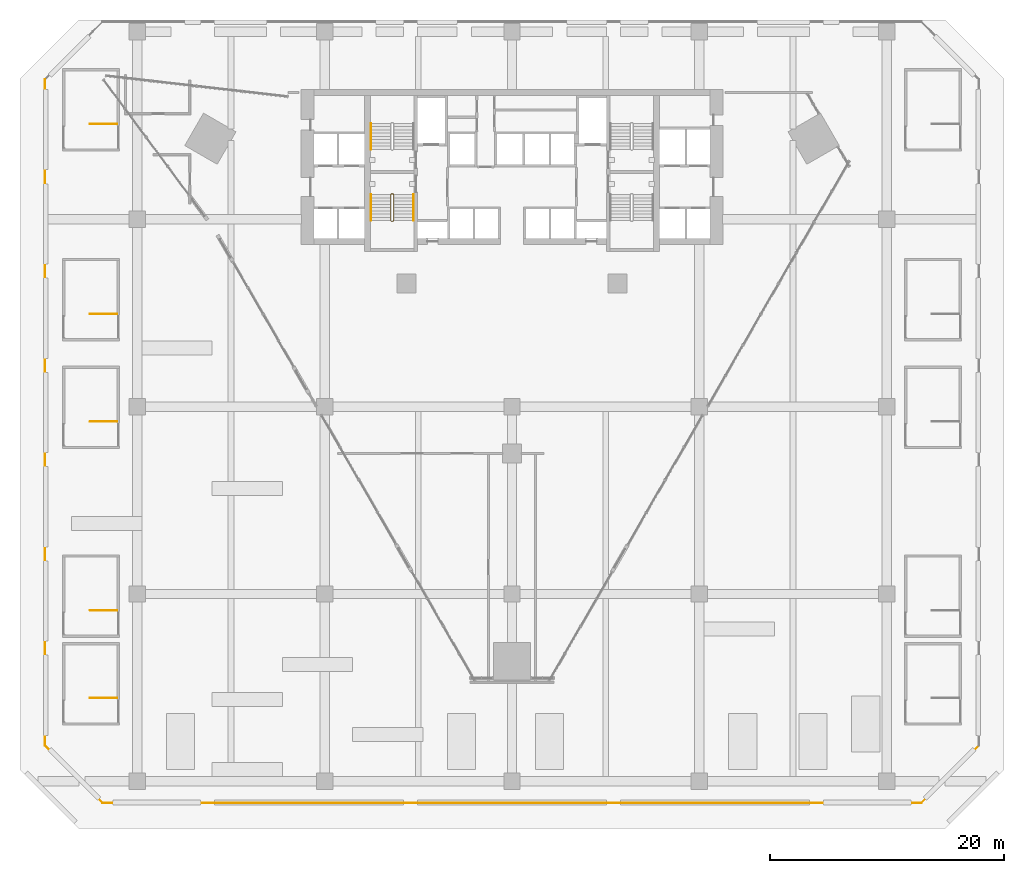
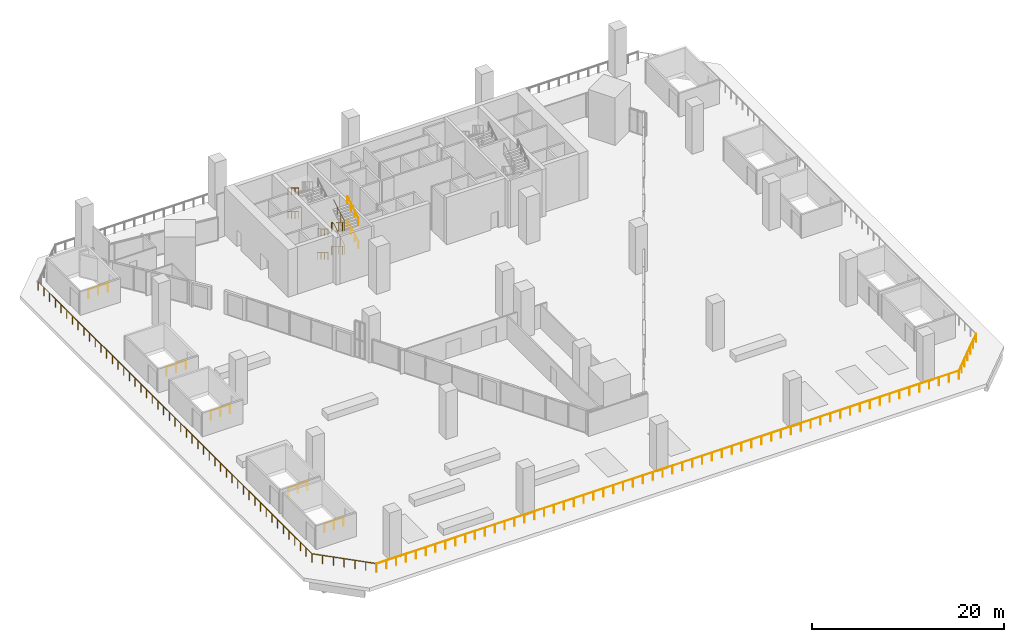
# One storey, part 23 of 25: 14 railings.
"""IFC4 building model written with IfcOpenShell, lengths in metres."""

from ifc_helpers import new_model, si_unit, direction, frame, origin, origin_2d, place, context, subcontext, project, spatial, circle, extrude, material, type_object, element, save


model = new_model("IFC4")

# Units and contexts
model_context = context("Model", 3, precision=1e-05, world=origin(), true_north=direction((0.0, 1.0)))
body_context = subcontext(model_context, "Body", "Model", "MODEL_VIEW")
ifc_project = project(units=[si_unit("LENGTHUNIT", "METRE"), si_unit("AREAUNIT", "SQUARE_METRE"), si_unit("VOLUMEUNIT", "CUBIC_METRE"), si_unit("PLANEANGLEUNIT", "RADIAN"), si_unit("MASSUNIT", "GRAM", prefix="KILO")], contexts=[model_context])

# Site, building, storey
site_placement = place(None, origin())
site = spatial("IfcSite", under=ifc_project, at=site_placement, CompositionType="ELEMENT")
building_placement = place(site_placement, origin())
building = spatial("IfcBuilding", under=site, at=building_placement, Name="Calabash Gate Tower", CompositionType="ELEMENT")
storey_placement = place(building_placement, frame((0.0, 0.0, 40.0)))
storey = spatial("IfcBuildingStorey", under=building, at=storey_placement, Name="L05", CompositionType="ELEMENT", Elevation=40.0)

# Railings
ifc_material_1 = material(Name="Stainless steel 316 rail and posts", Category="steel")
railing_type_1 = type_object("IfcRailingType", Name="Portal edge guard 1100", PredefinedType="GUARDRAIL", material=ifc_material_1)
railing_1_placement = place(storey_placement, frame((-34.93798828125, -41.85009765625, 0.0)))
element("IfcRailing", 1, at=railing_1_placement, inside=storey, type_object=railing_type_1, Name="GUARD L05 terrace edge 1", PredefinedType="GUARDRAIL", context=body_context, shape_type="SweptSolid", body=[
    extrude(circle(Radius=0.02392578125, at=origin_2d()), frame((0.0, 0.0, 1.076171875), z_axis=(-0.707106781187, 0.707106781187, 0.0), x_axis=(-0.707106781187, -0.707106781187, 0.0)), (0.0, 0.0, 1.0), 6.94677734375),
    extrude(circle(Radius=0.02392578125, at=origin_2d()), frame((-4.912109375, 4.912109375, 1.076171875), z_axis=(0.0, 1.0, 0.0), x_axis=(-1.0, 0.0, 0.0)), (0.0, 0.0, 1.0), 56.8759765625),
    extrude(circle(Radius=0.02099609375, at=origin_2d()), origin(), (0.0, 0.0, 1.0), 1.052001953125),
    extrude(circle(Radius=0.02099609375, at=origin_2d()), frame((-0.818603515625, 0.818603515625, 0.0)), (0.0, 0.0, 1.0), 1.052001953125),
    extrude(circle(Radius=0.02099609375, at=origin_2d()), frame((-1.637451171875, 1.637451171875, 0.0)), (0.0, 0.0, 1.0), 1.052001953125),
    extrude(circle(Radius=0.02099609375, at=origin_2d()), frame((-2.4560546875, 2.4560546875, 0.0)), (0.0, 0.0, 1.0), 1.052001953125),
    extrude(circle(Radius=0.02099609375, at=origin_2d()), frame((-3.274658203125, 3.274658203125, 0.0)), (0.0, 0.0, 1.0), 1.052001953125),
    extrude(circle(Radius=0.02099609375, at=origin_2d()), frame((-4.093505859375, 4.093505859375, 0.0)), (0.0, 0.0, 1.0), 1.052001953125),
    extrude(circle(Radius=0.02099609375, at=origin_2d()), frame((-4.912109375, 4.912109375, 0.0)), (0.0, 0.0, 1.0), 1.052001953125),
    extrude(circle(Radius=0.02099609375, at=origin_2d()), frame((-4.912109375, 6.096923828125, 0.0)), (0.0, 0.0, 1.0), 1.052001953125),
    extrude(circle(Radius=0.02099609375, at=origin_2d()), frame((-4.912109375, 7.281982421875, 0.0)), (0.0, 0.0, 1.0), 1.052001953125),
    extrude(circle(Radius=0.02099609375, at=origin_2d()), frame((-4.912109375, 8.466796875, 0.0)), (0.0, 0.0, 1.0), 1.052001953125),
    extrude(circle(Radius=0.02099609375, at=origin_2d()), frame((-4.912109375, 9.65185546875, 0.0)), (0.0, 0.0, 1.0), 1.052001953125),
    extrude(circle(Radius=0.02099609375, at=origin_2d()), frame((-4.912109375, 10.836669921875, 0.0)), (0.0, 0.0, 1.0), 1.052001953125),
    extrude(circle(Radius=0.02099609375, at=origin_2d()), frame((-4.912109375, 12.021484375, 0.0)), (0.0, 0.0, 1.0), 1.052001953125),
    extrude(circle(Radius=0.02099609375, at=origin_2d()), frame((-4.912109375, 13.20654296875, 0.0)), (0.0, 0.0, 1.0), 1.052001953125),
    extrude(circle(Radius=0.02099609375, at=origin_2d()), frame((-4.912109375, 14.391357421875, 0.0)), (0.0, 0.0, 1.0), 1.052001953125),
    extrude(circle(Radius=0.02099609375, at=origin_2d()), frame((-4.912109375, 15.576416015625, 0.0)), (0.0, 0.0, 1.0), 1.052001953125),
    extrude(circle(Radius=0.02099609375, at=origin_2d()), frame((-4.912109375, 16.76123046875, 0.0)), (0.0, 0.0, 1.0), 1.052001953125),
    extrude(circle(Radius=0.02099609375, at=origin_2d()), frame((-4.912109375, 17.9462890625, 0.0)), (0.0, 0.0, 1.0), 1.052001953125),
    extrude(circle(Radius=0.02099609375, at=origin_2d()), frame((-4.912109375, 19.131103515625, 0.0)), (0.0, 0.0, 1.0), 1.052001953125),
    extrude(circle(Radius=0.02099609375, at=origin_2d()), frame((-4.912109375, 20.31591796875, 0.0)), (0.0, 0.0, 1.0), 1.052001953125),
    extrude(circle(Radius=0.02099609375, at=origin_2d()), frame((-4.912109375, 21.5009765625, 0.0)), (0.0, 0.0, 1.0), 1.052001953125),
    extrude(circle(Radius=0.02099609375, at=origin_2d()), frame((-4.912109375, 22.685791015625, 0.0)), (0.0, 0.0, 1.0), 1.052001953125),
    extrude(circle(Radius=0.02099609375, at=origin_2d()), frame((-4.912109375, 23.870849609375, 0.0)), (0.0, 0.0, 1.0), 1.052001953125),
    extrude(circle(Radius=0.02099609375, at=origin_2d()), frame((-4.912109375, 25.0556640625, 0.0)), (0.0, 0.0, 1.0), 1.052001953125),
    extrude(circle(Radius=0.02099609375, at=origin_2d()), frame((-4.912109375, 26.24072265625, 0.0)), (0.0, 0.0, 1.0), 1.052001953125),
    extrude(circle(Radius=0.02099609375, at=origin_2d()), frame((-4.912109375, 27.425537109375, 0.0)), (0.0, 0.0, 1.0), 1.052001953125),
    extrude(circle(Radius=0.02099609375, at=origin_2d()), frame((-4.912109375, 28.6103515625, 0.0)), (0.0, 0.0, 1.0), 1.052001953125),
    extrude(circle(Radius=0.02099609375, at=origin_2d()), frame((-4.912109375, 29.79541015625, 0.0)), (0.0, 0.0, 1.0), 1.052001953125),
    extrude(circle(Radius=0.02099609375, at=origin_2d()), frame((-4.912109375, 30.980224609375, 0.0)), (0.0, 0.0, 1.0), 1.052001953125),
    extrude(circle(Radius=0.02099609375, at=origin_2d()), frame((-4.912109375, 32.165283203125, 0.0)), (0.0, 0.0, 1.0), 1.052001953125),
    extrude(circle(Radius=0.02099609375, at=origin_2d()), frame((-4.912109375, 33.35009765625, 0.0)), (0.0, 0.0, 1.0), 1.052001953125),
    extrude(circle(Radius=0.02099609375, at=origin_2d()), frame((-4.912109375, 34.534912109375, 0.0)), (0.0, 0.0, 1.0), 1.052001953125),
    extrude(circle(Radius=0.02099609375, at=origin_2d()), frame((-4.912109375, 35.719970703125, 0.0)), (0.0, 0.0, 1.0), 1.052001953125),
    extrude(circle(Radius=0.02099609375, at=origin_2d()), frame((-4.912109375, 36.90478515625, 0.0)), (0.0, 0.0, 1.0), 1.052001953125),
    extrude(circle(Radius=0.02099609375, at=origin_2d()), frame((-4.912109375, 38.08984375, 0.0)), (0.0, 0.0, 1.0), 1.052001953125),
    extrude(circle(Radius=0.02099609375, at=origin_2d()), frame((-4.912109375, 39.274658203125, 0.0)), (0.0, 0.0, 1.0), 1.052001953125),
    extrude(circle(Radius=0.02099609375, at=origin_2d()), frame((-4.912109375, 40.45947265625, 0.0)), (0.0, 0.0, 1.0), 1.052001953125),
    extrude(circle(Radius=0.02099609375, at=origin_2d()), frame((-4.912109375, 41.64453125, 0.0)), (0.0, 0.0, 1.0), 1.052001953125),
    extrude(circle(Radius=0.02099609375, at=origin_2d()), frame((-4.912109375, 42.829345703125, 0.0)), (0.0, 0.0, 1.0), 1.052001953125),
    extrude(circle(Radius=0.02099609375, at=origin_2d()), frame((-4.912109375, 44.014404296875, 0.0)), (0.0, 0.0, 1.0), 1.052001953125),
    extrude(circle(Radius=0.02099609375, at=origin_2d()), frame((-4.912109375, 45.19921875, 0.0)), (0.0, 0.0, 1.0), 1.052001953125),
    extrude(circle(Radius=0.02099609375, at=origin_2d()), frame((-4.912109375, 46.38427734375, 0.0)), (0.0, 0.0, 1.0), 1.052001953125),
    extrude(circle(Radius=0.02099609375, at=origin_2d()), frame((-4.912109375, 47.569091796875, 0.0)), (0.0, 0.0, 1.0), 1.052001953125),
    extrude(circle(Radius=0.02099609375, at=origin_2d()), frame((-4.912109375, 48.75390625, 0.0)), (0.0, 0.0, 1.0), 1.052001953125),
    extrude(circle(Radius=0.02099609375, at=origin_2d()), frame((-4.912109375, 49.93896484375, 0.0)), (0.0, 0.0, 1.0), 1.052001953125),
    extrude(circle(Radius=0.02099609375, at=origin_2d()), frame((-4.912109375, 51.123779296875, 0.0)), (0.0, 0.0, 1.0), 1.052001953125),
    extrude(circle(Radius=0.02099609375, at=origin_2d()), frame((-4.912109375, 52.308837890625, 0.0)), (0.0, 0.0, 1.0), 1.052001953125),
    extrude(circle(Radius=0.02099609375, at=origin_2d()), frame((-4.912109375, 53.49365234375, 0.0)), (0.0, 0.0, 1.0), 1.052001953125),
    extrude(circle(Radius=0.02099609375, at=origin_2d()), frame((-4.912109375, 54.6787109375, 0.0)), (0.0, 0.0, 1.0), 1.052001953125),
    extrude(circle(Radius=0.02099609375, at=origin_2d()), frame((-4.912109375, 55.863525390625, 0.0)), (0.0, 0.0, 1.0), 1.052001953125),
    extrude(circle(Radius=0.02099609375, at=origin_2d()), frame((-4.912109375, 57.04833984375, 0.0)), (0.0, 0.0, 1.0), 1.052001953125),
    extrude(circle(Radius=0.02099609375, at=origin_2d()), frame((-4.912109375, 58.2333984375, 0.0)), (0.0, 0.0, 1.0), 1.052001953125),
    extrude(circle(Radius=0.02099609375, at=origin_2d()), frame((-4.912109375, 59.418212890625, 0.0)), (0.0, 0.0, 1.0), 1.052001953125),
    extrude(circle(Radius=0.02099609375, at=origin_2d()), frame((-4.912109375, 60.603271484375, 0.0)), (0.0, 0.0, 1.0), 1.052001953125),
    extrude(circle(Radius=0.02099609375, at=origin_2d()), frame((-4.912109375, 61.7880859375, 0.0)), (0.0, 0.0, 1.0), 1.052001953125),
])
railing_2_placement = place(storey_placement, frame((39.85009765625, -36.93798828125, 0.0)))
element("IfcRailing", 2, at=railing_2_placement, inside=storey, type_object=railing_type_1, Name="GUARD L05 terrace edge 4", PredefinedType="GUARDRAIL", context=body_context, shape_type="SweptSolid", body=[
    extrude(circle(Radius=0.02392578125, at=origin_2d()), frame((0.0, 0.0, 1.076171875), z_axis=(-0.707106781187, -0.707106781187, 0.0), x_axis=(0.707106781187, -0.707106781187, 0.0)), (0.0, 0.0, 1.0), 6.94677734375),
    extrude(circle(Radius=0.02392578125, at=origin_2d()), frame((-4.912109375, -4.912109375, 1.076171875), z_axis=(-1.0, 0.0, 0.0), x_axis=(0.0, -1.0, 0.0)), (0.0, 0.0, 1.0), 69.8759765625),
    extrude(circle(Radius=0.02099609375, at=origin_2d()), origin(), (0.0, 0.0, 1.0), 1.052001953125),
    extrude(circle(Radius=0.02099609375, at=origin_2d()), frame((-0.818603515625, -0.818603515625, 0.0)), (0.0, 0.0, 1.0), 1.052001953125),
    extrude(circle(Radius=0.02099609375, at=origin_2d()), frame((-1.637451171875, -1.637451171875, 0.0)), (0.0, 0.0, 1.0), 1.052001953125),
    extrude(circle(Radius=0.02099609375, at=origin_2d()), frame((-2.4560546875, -2.4560546875, 0.0)), (0.0, 0.0, 1.0), 1.052001953125),
    extrude(circle(Radius=0.02099609375, at=origin_2d()), frame((-3.274658203125, -3.274658203125, 0.0)), (0.0, 0.0, 1.0), 1.052001953125),
    extrude(circle(Radius=0.02099609375, at=origin_2d()), frame((-4.093505859375, -4.093505859375, 0.0)), (0.0, 0.0, 1.0), 1.052001953125),
    extrude(circle(Radius=0.02099609375, at=origin_2d()), frame((-4.912109375, -4.912109375, 0.0)), (0.0, 0.0, 1.0), 1.052001953125),
    extrude(circle(Radius=0.02099609375, at=origin_2d()), frame((-6.096435546875, -4.912109375, 0.0)), (0.0, 0.0, 1.0), 1.052001953125),
    extrude(circle(Radius=0.02099609375, at=origin_2d()), frame((-7.28076171875, -4.912109375, 0.0)), (0.0, 0.0, 1.0), 1.052001953125),
    extrude(circle(Radius=0.02099609375, at=origin_2d()), frame((-8.465087890625, -4.912109375, 0.0)), (0.0, 0.0, 1.0), 1.052001953125),
    extrude(circle(Radius=0.02099609375, at=origin_2d()), frame((-9.6494140625, -4.912109375, 0.0)), (0.0, 0.0, 1.0), 1.052001953125),
    extrude(circle(Radius=0.02099609375, at=origin_2d()), frame((-10.833740234375, -4.912109375, 0.0)), (0.0, 0.0, 1.0), 1.052001953125),
    extrude(circle(Radius=0.02099609375, at=origin_2d()), frame((-12.01806640625, -4.912109375, 0.0)), (0.0, 0.0, 1.0), 1.052001953125),
    extrude(circle(Radius=0.02099609375, at=origin_2d()), frame((-13.202392578125, -4.912109375, 0.0)), (0.0, 0.0, 1.0), 1.052001953125),
    extrude(circle(Radius=0.02099609375, at=origin_2d()), frame((-14.38671875, -4.912109375, 0.0)), (0.0, 0.0, 1.0), 1.052001953125),
    extrude(circle(Radius=0.02099609375, at=origin_2d()), frame((-15.571044921875, -4.912109375, 0.0)), (0.0, 0.0, 1.0), 1.052001953125),
    extrude(circle(Radius=0.02099609375, at=origin_2d()), frame((-16.755615234375, -4.912109375, 0.0)), (0.0, 0.0, 1.0), 1.052001953125),
    extrude(circle(Radius=0.02099609375, at=origin_2d()), frame((-17.93994140625, -4.912109375, 0.0)), (0.0, 0.0, 1.0), 1.052001953125),
    extrude(circle(Radius=0.02099609375, at=origin_2d()), frame((-19.124267578125, -4.912109375, 0.0)), (0.0, 0.0, 1.0), 1.052001953125),
    extrude(circle(Radius=0.02099609375, at=origin_2d()), frame((-20.30859375, -4.912109375, 0.0)), (0.0, 0.0, 1.0), 1.052001953125),
    extrude(circle(Radius=0.02099609375, at=origin_2d()), frame((-21.492919921875, -4.912109375, 0.0)), (0.0, 0.0, 1.0), 1.052001953125),
    extrude(circle(Radius=0.02099609375, at=origin_2d()), frame((-22.67724609375, -4.912109375, 0.0)), (0.0, 0.0, 1.0), 1.052001953125),
    extrude(circle(Radius=0.02099609375, at=origin_2d()), frame((-23.861572265625, -4.912109375, 0.0)), (0.0, 0.0, 1.0), 1.052001953125),
    extrude(circle(Radius=0.02099609375, at=origin_2d()), frame((-25.0458984375, -4.912109375, 0.0)), (0.0, 0.0, 1.0), 1.052001953125),
    extrude(circle(Radius=0.02099609375, at=origin_2d()), frame((-26.230224609375, -4.912109375, 0.0)), (0.0, 0.0, 1.0), 1.052001953125),
    extrude(circle(Radius=0.02099609375, at=origin_2d()), frame((-27.41455078125, -4.912109375, 0.0)), (0.0, 0.0, 1.0), 1.052001953125),
    extrude(circle(Radius=0.02099609375, at=origin_2d()), frame((-28.598876953125, -4.912109375, 0.0)), (0.0, 0.0, 1.0), 1.052001953125),
    extrude(circle(Radius=0.02099609375, at=origin_2d()), frame((-29.783203125, -4.912109375, 0.0)), (0.0, 0.0, 1.0), 1.052001953125),
    extrude(circle(Radius=0.02099609375, at=origin_2d()), frame((-30.967529296875, -4.912109375, 0.0)), (0.0, 0.0, 1.0), 1.052001953125),
    extrude(circle(Radius=0.02099609375, at=origin_2d()), frame((-32.15185546875, -4.912109375, 0.0)), (0.0, 0.0, 1.0), 1.052001953125),
    extrude(circle(Radius=0.02099609375, at=origin_2d()), frame((-33.336181640625, -4.912109375, 0.0)), (0.0, 0.0, 1.0), 1.052001953125),
    extrude(circle(Radius=0.02099609375, at=origin_2d()), frame((-34.5205078125, -4.912109375, 0.0)), (0.0, 0.0, 1.0), 1.052001953125),
    extrude(circle(Radius=0.02099609375, at=origin_2d()), frame((-35.704833984375, -4.912109375, 0.0)), (0.0, 0.0, 1.0), 1.052001953125),
    extrude(circle(Radius=0.02099609375, at=origin_2d()), frame((-36.88916015625, -4.912109375, 0.0)), (0.0, 0.0, 1.0), 1.052001953125),
    extrude(circle(Radius=0.02099609375, at=origin_2d()), frame((-38.073486328125, -4.912109375, 0.0)), (0.0, 0.0, 1.0), 1.052001953125),
    extrude(circle(Radius=0.02099609375, at=origin_2d()), frame((-39.2578125, -4.912109375, 0.0)), (0.0, 0.0, 1.0), 1.052001953125),
    extrude(circle(Radius=0.02099609375, at=origin_2d()), frame((-40.4423828125, -4.912109375, 0.0)), (0.0, 0.0, 1.0), 1.052001953125),
    extrude(circle(Radius=0.02099609375, at=origin_2d()), frame((-41.626708984375, -4.912109375, 0.0)), (0.0, 0.0, 1.0), 1.052001953125),
    extrude(circle(Radius=0.02099609375, at=origin_2d()), frame((-42.81103515625, -4.912109375, 0.0)), (0.0, 0.0, 1.0), 1.052001953125),
    extrude(circle(Radius=0.02099609375, at=origin_2d()), frame((-43.995361328125, -4.912109375, 0.0)), (0.0, 0.0, 1.0), 1.052001953125),
    extrude(circle(Radius=0.02099609375, at=origin_2d()), frame((-45.1796875, -4.912109375, 0.0)), (0.0, 0.0, 1.0), 1.052001953125),
    extrude(circle(Radius=0.02099609375, at=origin_2d()), frame((-46.364013671875, -4.912109375, 0.0)), (0.0, 0.0, 1.0), 1.052001953125),
    extrude(circle(Radius=0.02099609375, at=origin_2d()), frame((-47.54833984375, -4.912109375, 0.0)), (0.0, 0.0, 1.0), 1.052001953125),
    extrude(circle(Radius=0.02099609375, at=origin_2d()), frame((-48.732666015625, -4.912109375, 0.0)), (0.0, 0.0, 1.0), 1.052001953125),
    extrude(circle(Radius=0.02099609375, at=origin_2d()), frame((-49.9169921875, -4.912109375, 0.0)), (0.0, 0.0, 1.0), 1.052001953125),
    extrude(circle(Radius=0.02099609375, at=origin_2d()), frame((-51.101318359375, -4.912109375, 0.0)), (0.0, 0.0, 1.0), 1.052001953125),
    extrude(circle(Radius=0.02099609375, at=origin_2d()), frame((-52.28564453125, -4.912109375, 0.0)), (0.0, 0.0, 1.0), 1.052001953125),
    extrude(circle(Radius=0.02099609375, at=origin_2d()), frame((-53.469970703125, -4.912109375, 0.0)), (0.0, 0.0, 1.0), 1.052001953125),
    extrude(circle(Radius=0.02099609375, at=origin_2d()), frame((-54.654296875, -4.912109375, 0.0)), (0.0, 0.0, 1.0), 1.052001953125),
    extrude(circle(Radius=0.02099609375, at=origin_2d()), frame((-55.838623046875, -4.912109375, 0.0)), (0.0, 0.0, 1.0), 1.052001953125),
    extrude(circle(Radius=0.02099609375, at=origin_2d()), frame((-57.02294921875, -4.912109375, 0.0)), (0.0, 0.0, 1.0), 1.052001953125),
    extrude(circle(Radius=0.02099609375, at=origin_2d()), frame((-58.207275390625, -4.912109375, 0.0)), (0.0, 0.0, 1.0), 1.052001953125),
    extrude(circle(Radius=0.02099609375, at=origin_2d()), frame((-59.3916015625, -4.912109375, 0.0)), (0.0, 0.0, 1.0), 1.052001953125),
    extrude(circle(Radius=0.02099609375, at=origin_2d()), frame((-60.575927734375, -4.912109375, 0.0)), (0.0, 0.0, 1.0), 1.052001953125),
    extrude(circle(Radius=0.02099609375, at=origin_2d()), frame((-61.76025390625, -4.912109375, 0.0)), (0.0, 0.0, 1.0), 1.052001953125),
    extrude(circle(Radius=0.02099609375, at=origin_2d()), frame((-62.944580078125, -4.912109375, 0.0)), (0.0, 0.0, 1.0), 1.052001953125),
    extrude(circle(Radius=0.02099609375, at=origin_2d()), frame((-64.129150390625, -4.912109375, 0.0)), (0.0, 0.0, 1.0), 1.052001953125),
    extrude(circle(Radius=0.02099609375, at=origin_2d()), frame((-65.3134765625, -4.912109375, 0.0)), (0.0, 0.0, 1.0), 1.052001953125),
    extrude(circle(Radius=0.02099609375, at=origin_2d()), frame((-66.497802734375, -4.912109375, 0.0)), (0.0, 0.0, 1.0), 1.052001953125),
    extrude(circle(Radius=0.02099609375, at=origin_2d()), frame((-67.68212890625, -4.912109375, 0.0)), (0.0, 0.0, 1.0), 1.052001953125),
    extrude(circle(Radius=0.02099609375, at=origin_2d()), frame((-68.866455078125, -4.912109375, 0.0)), (0.0, 0.0, 1.0), 1.052001953125),
    extrude(circle(Radius=0.02099609375, at=origin_2d()), frame((-70.05078125, -4.912109375, 0.0)), (0.0, 0.0, 1.0), 1.052001953125),
    extrude(circle(Radius=0.02099609375, at=origin_2d()), frame((-71.235107421875, -4.912109375, 0.0)), (0.0, 0.0, 1.0), 1.052001953125),
    extrude(circle(Radius=0.02099609375, at=origin_2d()), frame((-72.41943359375, -4.912109375, 0.0)), (0.0, 0.0, 1.0), 1.052001953125),
    extrude(circle(Radius=0.02099609375, at=origin_2d()), frame((-73.603759765625, -4.912109375, 0.0)), (0.0, 0.0, 1.0), 1.052001953125),
    extrude(circle(Radius=0.02099609375, at=origin_2d()), frame((-74.7880859375, -4.912109375, 0.0)), (0.0, 0.0, 1.0), 1.052001953125),
])
ifc_material_2 = material(Name="Black powder-coated steel balusters", Category="steel")
railing_type_2 = type_object("IfcRailingType", Name="Stair guard RL1100", PredefinedType="GUARDRAIL", material=ifc_material_2)
railing_3_placement = place(storey_placement, frame((-10.300048828125, 10.152587890625, 0.0)))
element("IfcRailing", 3, at=railing_3_placement, inside=storey, type_object=railing_type_2, Name="L05 ST2 stair guard 1", PredefinedType="GUARDRAIL", context=body_context, shape_type="SweptSolid", body=[
    extrude(circle(Radius=0.02392578125, at=origin_2d()), frame((0.0, 0.0, 1.076171875), z_axis=(1.0, 0.0, 0.0), x_axis=(0.0, 1.0, 0.0)), (0.0, 0.0, 1.0), 0.150146484375),
    extrude(circle(Radius=0.02392578125, at=origin_2d()), frame((0.150146484375, 0.0, 1.076171875), z_axis=(-0.75457900375, -0.188644750937, 0.628509097026), x_axis=(0.242535625036, -0.970142500145, 0.0)), (0.0, 0.0, 1.0), 0.265380859375),
    extrude(circle(Radius=0.02392578125, at=origin_2d()), frame((-0.050048828125, -0.050048828125, 1.24267578125), z_axis=(0.0, -0.858493888361, 0.512823793955), x_axis=(1.0, 0.0, 0.0)), (0.0, 0.0, 1.0), 2.599853515625),
    extrude(circle(Radius=0.02392578125, at=origin_2d()), frame((-0.050048828125, -2.281982421875, 2.576171875), z_axis=(0.707106781187, -0.707106781187, 0.0), x_axis=(0.707106781187, 0.707106781187, 0.0)), (0.0, 0.0, 1.0), 0.07080078125),
    extrude(circle(Radius=0.02392578125, at=origin_2d()), frame((0.0, -2.33203125, 2.576171875), z_axis=(1.0, 0.0, 0.0), x_axis=(0.0, 1.0, 0.0)), (0.0, 0.0, 1.0), 0.150146484375),
    extrude(circle(Radius=0.02392578125, at=origin_2d()), frame((0.150146484375, -2.33203125, 2.576171875), z_axis=(0.275041040955, 0.276389281352, 0.920848191041), x_axis=(-0.708833529934, 0.705375805398, 0.0)), (0.0, 0.0, 1.0), 0.18115234375),
    extrude(circle(Radius=0.02392578125, at=origin_2d()), frame((0.199951171875, -2.281982421875, 2.74267578125), z_axis=(0.0, 0.858493888361, 0.512823793955), x_axis=(-1.0, 0.0, 0.0)), (0.0, 0.0, 1.0), 2.599853515625),
    extrude(circle(Radius=0.02392578125, at=origin_2d()), frame((0.199951171875, -0.050048828125, 4.076171875), z_axis=(-0.970072785993, 0.242814311512, 0.0), x_axis=(-0.242814311512, -0.970072785993, 0.0)), (0.0, 0.0, 1.0), 0.2060546875),
    extrude(circle(Radius=0.02392578125, at=origin_2d()), frame((0.0, 0.0, 4.076171875), z_axis=(1.0, 0.0, 0.0), x_axis=(0.0, 1.0, 0.0)), (0.0, 0.0, 1.0), 0.150146484375),
    extrude(circle(Radius=0.02392578125, at=origin_2d()), frame((0.150146484375, 0.0, 4.076171875), z_axis=(-0.75457900375, -0.188644750937, 0.628509097026), x_axis=(0.242535625036, -0.970142500145, 0.0)), (0.0, 0.0, 1.0), 0.265380859375),
    extrude(circle(Radius=0.02392578125, at=origin_2d()), frame((-0.050048828125, -0.050048828125, 4.24267578125), z_axis=(0.0, -0.858493888361, 0.512823793955), x_axis=(1.0, 0.0, 0.0)), (0.0, 0.0, 1.0), 2.599853515625),
    extrude(circle(Radius=0.02392578125, at=origin_2d()), frame((-0.050048828125, -2.281982421875, 5.576171875), z_axis=(0.707106781187, -0.707106781187, 0.0), x_axis=(0.707106781187, 0.707106781187, 0.0)), (0.0, 0.0, 1.0), 0.07080078125),
    extrude(circle(Radius=0.02392578125, at=origin_2d()), frame((0.0, -2.33203125, 5.576171875), z_axis=(1.0, 0.0, 0.0), x_axis=(0.0, 1.0, 0.0)), (0.0, 0.0, 1.0), 0.150146484375),
    extrude(circle(Radius=0.02392578125, at=origin_2d()), frame((0.150146484375, -2.33203125, 5.576171875), z_axis=(0.275041040955, 0.276389281352, 0.920848191041), x_axis=(-0.708833529934, 0.705375805398, 0.0)), (0.0, 0.0, 1.0), 0.18115234375),
    extrude(circle(Radius=0.02392578125, at=origin_2d()), frame((0.199951171875, -2.281982421875, 5.74267578125), z_axis=(0.0, 0.858493888361, 0.512823793955), x_axis=(-1.0, 0.0, 0.0)), (0.0, 0.0, 1.0), 2.599853515625),
    extrude(circle(Radius=0.02099609375, at=origin_2d()), origin(), (0.0, 0.0, 1.0), 1.052001953125),
    extrude(circle(Radius=0.02099609375, at=origin_2d()), frame((0.150146484375, 0.0, 0.0)), (0.0, 0.0, 1.0), 1.052001953125),
    extrude(circle(Radius=0.02099609375, at=origin_2d()), frame((-0.050048828125, -0.050048828125, 0.166748046875)), (0.0, 0.0, 1.0), 1.052001953125),
    extrude(circle(Radius=0.02099609375, at=origin_2d()), frame((-0.050048828125, -0.7939453125, 0.611083984375)), (0.0, 0.0, 1.0), 1.052001953125),
    extrude(circle(Radius=0.02099609375, at=origin_2d()), frame((-0.050048828125, -1.5380859375, 1.0556640625)), (0.0, 0.0, 1.0), 1.052001953125),
    extrude(circle(Radius=0.02099609375, at=origin_2d()), frame((-0.050048828125, -2.281982421875, 1.5)), (0.0, 0.0, 1.0), 1.052001953125),
    extrude(circle(Radius=0.02099609375, at=origin_2d()), frame((0.0, -2.33203125, 1.5)), (0.0, 0.0, 1.0), 1.052001953125),
    extrude(circle(Radius=0.02099609375, at=origin_2d()), frame((0.150146484375, -2.33203125, 1.5)), (0.0, 0.0, 1.0), 1.052001953125),
    extrude(circle(Radius=0.02099609375, at=origin_2d()), frame((0.199951171875, -2.281982421875, 1.666748046875)), (0.0, 0.0, 1.0), 1.052001953125),
    extrude(circle(Radius=0.02099609375, at=origin_2d()), frame((0.199951171875, -1.5380859375, 2.111083984375)), (0.0, 0.0, 1.0), 1.052001953125),
    extrude(circle(Radius=0.02099609375, at=origin_2d()), frame((0.199951171875, -0.7939453125, 2.5556640625)), (0.0, 0.0, 1.0), 1.052001953125),
    extrude(circle(Radius=0.02099609375, at=origin_2d()), frame((0.199951171875, -0.050048828125, 3.0)), (0.0, 0.0, 1.0), 1.052001953125),
    extrude(circle(Radius=0.02099609375, at=origin_2d()), frame((0.0, 0.0, 3.0)), (0.0, 0.0, 1.0), 1.052001953125),
    extrude(circle(Radius=0.02099609375, at=origin_2d()), frame((0.150146484375, 0.0, 3.0)), (0.0, 0.0, 1.0), 1.052001953125),
    extrude(circle(Radius=0.02099609375, at=origin_2d()), frame((-0.050048828125, -0.050048828125, 3.166748046875)), (0.0, 0.0, 1.0), 1.052001953125),
    extrude(circle(Radius=0.02099609375, at=origin_2d()), frame((-0.050048828125, -0.7939453125, 3.611083984375)), (0.0, 0.0, 1.0), 1.052001953125),
    extrude(circle(Radius=0.02099609375, at=origin_2d()), frame((-0.050048828125, -1.5380859375, 4.0556640625)), (0.0, 0.0, 1.0), 1.052001953125),
    extrude(circle(Radius=0.02099609375, at=origin_2d()), frame((-0.050048828125, -2.281982421875, 4.5)), (0.0, 0.0, 1.0), 1.052001953125),
    extrude(circle(Radius=0.02099609375, at=origin_2d()), frame((0.0, -2.33203125, 4.5)), (0.0, 0.0, 1.0), 1.052001953125),
    extrude(circle(Radius=0.02099609375, at=origin_2d()), frame((0.150146484375, -2.33203125, 4.5)), (0.0, 0.0, 1.0), 1.052001953125),
    extrude(circle(Radius=0.02099609375, at=origin_2d()), frame((0.199951171875, -2.281982421875, 4.666748046875)), (0.0, 0.0, 1.0), 1.052001953125),
    extrude(circle(Radius=0.02099609375, at=origin_2d()), frame((0.199951171875, -1.5380859375, 5.111083984375)), (0.0, 0.0, 1.0), 1.052001953125),
    extrude(circle(Radius=0.02099609375, at=origin_2d()), frame((0.199951171875, -0.7939453125, 5.5556640625)), (0.0, 0.0, 1.0), 1.052001953125),
    extrude(circle(Radius=0.02099609375, at=origin_2d()), frame((0.199951171875, -0.050048828125, 6.0)), (0.0, 0.0, 1.0), 1.052001953125),
])
for number, where, name in (
    (4, (-33.699951171875, -32.889892578125, 0.0), "L05 PS1 top well guard 1"),
    (5, (-33.699951171875, -25.389892578125, 0.0), "L05 PS2 top well guard 1"),
    (6, (-33.699951171875, -9.2900390625, 0.0), "L05 PS3 top well guard 1"),
    (7, (-33.699951171875, -0.090087890625, 0.0), "L05 PS4 top well guard 1"),
    (8, (-33.699951171875, 16.110107421875, 0.0), "L05 PS5 top well guard 1"),
):
    element("IfcRailing", number, at=place(storey_placement, frame(where)), inside=storey, type_object=railing_type_2, Name=name, PredefinedType="GUARDRAIL", context=body_context, shape_type="SweptSolid", body=[
        extrude(circle(Radius=0.02392578125, at=origin_2d()), frame((0.0, 0.0, 1.076171875), z_axis=(-1.0, 0.0, 0.0), x_axis=(0.0, -1.0, 0.0)), (0.0, 0.0, 1.0), 2.31005859375),
        extrude(circle(Radius=0.02099609375, at=origin_2d()), origin(), (0.0, 0.0, 1.0), 1.052001953125),
        extrude(circle(Radius=0.02099609375, at=origin_2d()), frame((-1.155029296875, 0.0, 0.0)), (0.0, 0.0, 1.0), 1.052001953125),
        extrude(circle(Radius=0.02099609375, at=origin_2d()), frame((-2.31005859375, 0.0, 0.0)), (0.0, 0.0, 1.0), 1.052001953125),
    ])
ifc_material_3 = material(Name="Black powder-coated steel tube 48 mm", Category="steel")
railing_type_3 = type_object("IfcRailingType", Name="Stair handrail RL900", PredefinedType="HANDRAIL", material=ifc_material_3)
for number, where, name in (
    (9, (-12.050048828125, 16.1845703125, 1.666748046875), "L05 ST1 stair handrail 2"),
    (10, (-12.050048828125, 16.1845703125, 4.666748046875), "L05 ST1 stair handrail 4"),
    (11, (-12.050048828125, 10.1025390625, 0.166748046875), "L05 ST2 stair handrail 1"),
):
    element("IfcRailing", number, at=place(storey_placement, frame(where)), inside=storey, type_object=railing_type_3, Name=name, PredefinedType="HANDRAIL", context=body_context, shape_type="SweptSolid", body=[
        extrude(circle(Radius=0.02392578125, at=origin_2d()), frame((0.0, 0.0, 0.8759765625), z_axis=(0.0, -0.858493888361, 0.512823793955), x_axis=(1.0, 0.0, 0.0)), (0.0, 0.0, 1.0), 2.599853515625),
        extrude(circle(Radius=0.02099609375, at=origin_2d()), origin(), (0.0, 0.0, 1.0), 0.851806640625),
        extrude(circle(Radius=0.02099609375, at=origin_2d()), frame((0.0, -0.743896484375, 0.4443359375)), (0.0, 0.0, 1.0), 0.851806640625),
        extrude(circle(Radius=0.02099609375, at=origin_2d()), frame((0.0, -1.488037109375, 0.888916015625)), (0.0, 0.0, 1.0), 0.851806640625),
        extrude(circle(Radius=0.02099609375, at=origin_2d()), frame((0.0, -2.23193359375, 1.333251953125)), (0.0, 0.0, 1.0), 0.851806640625),
    ])
railing_4_placement = place(storey_placement, frame((-8.39990234375, 7.87060546875, 1.666748046875)))
element("IfcRailing", 12, at=railing_4_placement, inside=storey, type_object=railing_type_3, Name="L05 ST2 stair handrail 2", PredefinedType="HANDRAIL", context=body_context, shape_type="SweptSolid", body=[
    extrude(circle(Radius=0.02392578125, at=origin_2d()), frame((0.0, 0.0, 0.8759765625), z_axis=(0.0, 0.858493888361, 0.512823793955), x_axis=(-1.0, 0.0, 0.0)), (0.0, 0.0, 1.0), 2.599853515625),
    extrude(circle(Radius=0.02099609375, at=origin_2d()), origin(), (0.0, 0.0, 1.0), 0.851806640625),
    extrude(circle(Radius=0.02099609375, at=origin_2d()), frame((0.0, 0.743896484375, 0.4443359375)), (0.0, 0.0, 1.0), 0.851806640625),
    extrude(circle(Radius=0.02099609375, at=origin_2d()), frame((0.0, 1.488037109375, 0.888916015625)), (0.0, 0.0, 1.0), 0.851806640625),
    extrude(circle(Radius=0.02099609375, at=origin_2d()), frame((0.0, 2.23193359375, 1.333251953125)), (0.0, 0.0, 1.0), 0.851806640625),
])
railing_5_placement = place(storey_placement, frame((-12.050048828125, 10.1025390625, 3.166748046875)))
element("IfcRailing", 13, at=railing_5_placement, inside=storey, type_object=railing_type_3, Name="L05 ST2 stair handrail 3", PredefinedType="HANDRAIL", context=body_context, shape_type="SweptSolid", body=[
    extrude(circle(Radius=0.02392578125, at=origin_2d()), frame((0.0, 0.0, 0.8759765625), z_axis=(0.0, -0.858493888361, 0.512823793955), x_axis=(1.0, 0.0, 0.0)), (0.0, 0.0, 1.0), 2.599853515625),
    extrude(circle(Radius=0.02099609375, at=origin_2d()), origin(), (0.0, 0.0, 1.0), 0.851806640625),
    extrude(circle(Radius=0.02099609375, at=origin_2d()), frame((0.0, -0.743896484375, 0.4443359375)), (0.0, 0.0, 1.0), 0.851806640625),
    extrude(circle(Radius=0.02099609375, at=origin_2d()), frame((0.0, -1.488037109375, 0.888916015625)), (0.0, 0.0, 1.0), 0.851806640625),
    extrude(circle(Radius=0.02099609375, at=origin_2d()), frame((0.0, -2.23193359375, 1.333251953125)), (0.0, 0.0, 1.0), 0.851806640625),
])
railing_6_placement = place(storey_placement, frame((-8.39990234375, 7.87060546875, 4.666748046875)))
element("IfcRailing", 14, at=railing_6_placement, inside=storey, type_object=railing_type_3, Name="L05 ST2 stair handrail 4", PredefinedType="HANDRAIL", context=body_context, shape_type="SweptSolid", body=[
    extrude(circle(Radius=0.02392578125, at=origin_2d()), frame((0.0, 0.0, 0.8759765625), z_axis=(0.0, 0.858493888361, 0.512823793955), x_axis=(-1.0, 0.0, 0.0)), (0.0, 0.0, 1.0), 2.599853515625),
    extrude(circle(Radius=0.02099609375, at=origin_2d()), origin(), (0.0, 0.0, 1.0), 0.851806640625),
    extrude(circle(Radius=0.02099609375, at=origin_2d()), frame((0.0, 0.743896484375, 0.4443359375)), (0.0, 0.0, 1.0), 0.851806640625),
    extrude(circle(Radius=0.02099609375, at=origin_2d()), frame((0.0, 1.488037109375, 0.888916015625)), (0.0, 0.0, 1.0), 0.851806640625),
    extrude(circle(Radius=0.02099609375, at=origin_2d()), frame((0.0, 2.23193359375, 1.333251953125)), (0.0, 0.0, 1.0), 0.851806640625),
])

save(model, "model.ifc")
